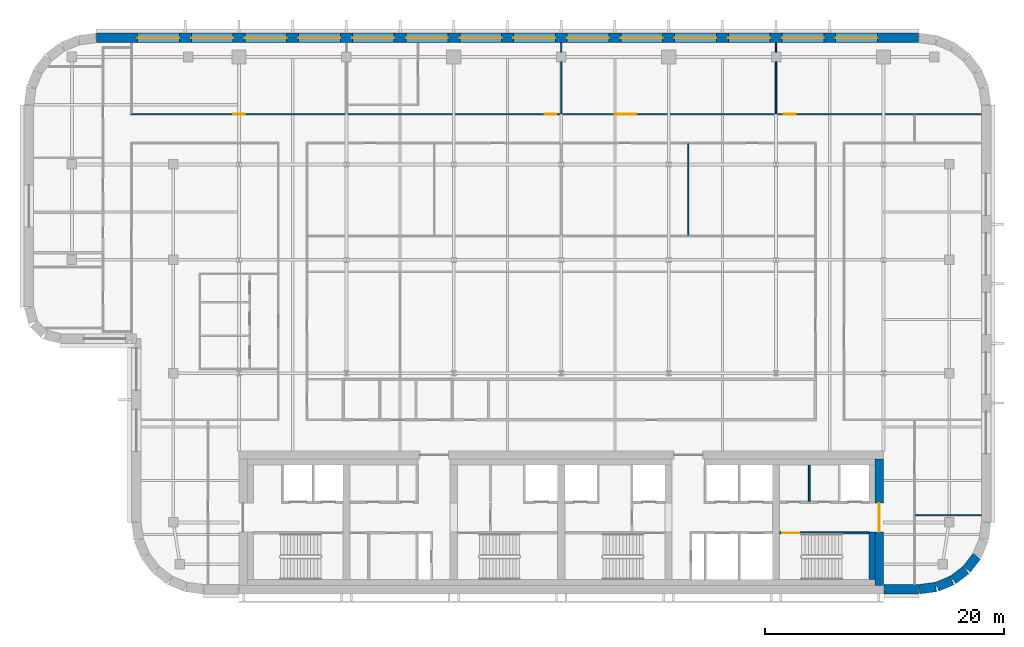
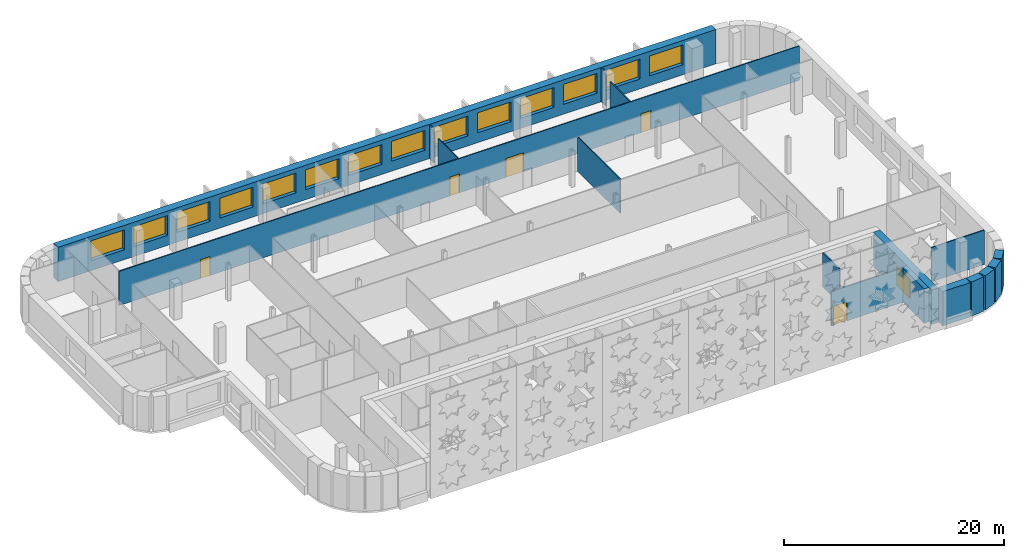
# One storey, part 11 of 18: 17 walls, 14 windows, 6 doors, 20 openings.
"""IFC4 building model written with IfcOpenShell, lengths in metres."""

from ifc_helpers import new_model, si_unit, direction, frame, frame_2d, origin, place, context, subcontext, project, spatial, rectangle, extrude, material, layer, layer_set, type_object, element, fill, save


model = new_model("IFC4")

# Units and contexts
model_context = context("Model", 3, precision=1e-05, world=origin(), true_north=direction((0.0, 1.0)))
body_context = subcontext(model_context, "Body", "Model", "MODEL_VIEW")
ifc_project = project(units=[si_unit("LENGTHUNIT", "METRE"), si_unit("AREAUNIT", "SQUARE_METRE"), si_unit("VOLUMEUNIT", "CUBIC_METRE"), si_unit("PLANEANGLEUNIT", "RADIAN"), si_unit("MASSUNIT", "GRAM", prefix="KILO")], contexts=[model_context])

# Site, building, storey
site_placement = place(None, origin())
site = spatial("IfcSite", under=ifc_project, at=site_placement, CompositionType="ELEMENT")
building_placement = place(site_placement, origin())
building = spatial("IfcBuilding", under=site, at=building_placement, Name="Zellij Exchange Tower", CompositionType="ELEMENT")
storey_placement = place(building_placement, frame((0.0, 0.0, 240.5)))
storey = spatial("IfcBuildingStorey", under=building, at=storey_placement, Name="L56", CompositionType="ELEMENT", Elevation=240.5)

# Walls
ifc_material_1 = material(Name="Concrete C30/37", Category="concrete")
ifc_layer_1 = layer(ifc_material_1, 0.5)
ifc_layer_set_1 = layer_set([ifc_layer_1], Name="Concrete C30/37")
wall_type_1 = type_object("IfcWallType", Name="CORE-LW 500 C30/37", PredefinedType="SHEAR", material=ifc_layer_set_1)
wall_1_placement = place(storey_placement, frame((26.050048828125, -12.800048828125, 0.0), z_axis=(0.0, 0.0, 1.0), x_axis=(0.0, 1.0, 0.0)))
element("IfcWall", 1, at=wall_1_placement, inside=storey, type_object=wall_type_1, Name="Core wall lining end e.0 L56", PredefinedType="SHEAR", context=body_context, shape_type="SweptSolid", body=[
    extrude(rectangle(XDim=4.0, YDim=0.5, at=frame_2d((2.0, 0.0))), origin(), (0.0, 0.0, 1.0), 3.800048828125),
])
ifc_material_2 = material(Name="Gypsum board partition")
ifc_layer_2 = layer(ifc_material_2, 0.14990234375)
ifc_layer_set_2 = layer_set([ifc_layer_2], Name="Gypsum board partition")
wall_type_2 = type_object("IfcWallType", Name="CORE-PW 150 Lift lobby wall", PredefinedType="PARTITIONING", material=ifc_layer_set_2)
wall_2_placement = place(storey_placement, frame((20.77490234375, -6.22509765625, 0.0), z_axis=(0.0, 0.0, 1.0), x_axis=(0.0, 1.0, 0.0)))
element("IfcWall", 2, at=wall_2_placement, inside=storey, type_object=wall_type_2, Name="Lift lobby wall L56", PredefinedType="PARTITIONING", context=body_context, shape_type="SweptSolid", body=[
    extrude(rectangle(XDim=3.025146484375, YDim=0.14990234375, at=frame_2d((1.5126953125, 0.0))), origin(), (0.0, 0.0, 1.0), 3.800048828125),
])

# Wall, opening, door
ifc_material_3 = material(Name="Concrete C50/60", Category="concrete")
ifc_layer_3 = layer(ifc_material_3, 0.699951171875)
ifc_layer_set_3 = layer_set([ifc_layer_3], Name="Concrete C50/60")
wall_type_3 = type_object("IfcWallType", Name="CORE-SW 700 C50/60", PredefinedType="SHEAR", material=ifc_layer_set_3)
wall_3_placement = place(storey_placement, frame((26.64990234375, -13.300048828125, 0.0), z_axis=(0.0, 0.0, 1.0), x_axis=(0.0, 1.0, 0.0)))
wall_3 = element("IfcWall", 3, at=wall_3_placement, inside=storey, type_object=wall_type_3, Name="Core shear wall end e L56", PredefinedType="SHEAR", context=body_context, shape_type="SweptSolid", body=[
    extrude(rectangle(XDim=10.60009765625, YDim=0.699951171875, at=frame_2d((5.300048828125, 0.0))), origin(), (0.0, 0.0, 1.0), 3.800048828125),
])
opening_1_placement = place(wall_3_placement, frame((4.511962890625, 0.0, 0.0)))
opening_1 = element("IfcOpeningElement", 4, at=opening_1_placement, cuts=wall_3, Name="Opening CA-29.28", PredefinedType="OPENING", context=body_context, shape_type="SweptSolid", body=[
    extrude(rectangle(XDim=2.39990234375, YDim=2.10009765625, at=frame_2d((1.199951171875, 1.050048828125))), frame((0.0, 0.36181640625, 0.0), z_axis=(0.0, -1.0, 0.0), x_axis=(1.0, 0.0, 0.0)), (0.0, 0.0, 1.0), 0.723876953125),
])
ifc_material_4 = material(Name="Hollow metal fire door")
door_type_1 = type_object("IfcDoorType", Name="CORE-D CE Core entrance door 2400x2100 20 MIN", OperationType="NOTDEFINED", PredefinedType="DOOR", material=ifc_material_4)
door_1_placement = place(opening_1_placement, origin())
door_1 = element("IfcDoor", 5, at=door_1_placement, inside=storey, type_object=door_type_1, Name="Core entrance door CA-29.28", OperationType="DOUBLE_DOOR_SINGLE_SWING", OverallHeight=2.10009765625, OverallWidth=2.39990234375, PredefinedType="DOOR", context=body_context, shape_type="SweptSolid", body=[
    extrude(rectangle(XDim=2.39990234375, YDim=2.10009765625, at=frame_2d((1.199951171875, 1.050048828125))), frame((0.0, 0.02490234375, 0.0), z_axis=(0.0, -1.0, 0.0), x_axis=(1.0, 0.0, 0.0)), (0.0, 0.0, 1.0), 0.050048828125),
])
fill(opening_1, door_1)

ifc_layer_4 = layer(ifc_material_3, 0.14990234375)
ifc_layer_set_4 = layer_set([ifc_layer_4], Name="Concrete C50/60")
wall_type_4 = type_object("IfcWallType", Name="CORE-SWS 150 C50/60", PredefinedType="SHEAR", material=ifc_layer_set_4)
wall_4_placement = place(storey_placement, frame((18.300048828125, -8.875, 0.0), z_axis=(0.0, 0.0, 1.0), x_axis=(1.0, 0.0, 0.0)))
wall_4 = element("IfcWall", 6, at=wall_4_placement, inside=storey, type_object=wall_type_4, Name="Stair enclosure wall L56", PredefinedType="SHEAR", context=body_context, shape_type="SweptSolid", body=[
    extrude(rectangle(XDim=7.5, YDim=0.14990234375, at=frame_2d((3.75, 0.0))), origin(), (0.0, 0.0, 1.0), 3.800048828125),
])
opening_2_placement = place(wall_4_placement, frame((0.22509765625, 0.0, 0.0)))
opening_2 = element("IfcOpeningElement", 7, at=opening_2_placement, cuts=wall_4, Name="Opening CA-29.24", PredefinedType="OPENING", context=body_context, shape_type="SweptSolid", body=[
    extrude(rectangle(XDim=1.39990234375, YDim=2.10009765625, at=frame_2d((0.699951171875, 1.050048828125))), frame((0.0, 0.0869140625, 0.0), z_axis=(0.0, -1.0, 0.0), x_axis=(1.0, 0.0, 0.0)), (0.0, 0.0, 1.0), 0.173828125),
])
door_type_2 = type_object("IfcDoorType", Name="CORE-D SD Stair door 1400x2100 1.5 HR", OperationType="NOTDEFINED", PredefinedType="DOOR", material=ifc_material_4)
door_2_placement = place(opening_2_placement, origin())
door_2 = element("IfcDoor", 8, at=door_2_placement, inside=storey, type_object=door_type_2, Name="Stair door CA-29.24", OperationType="DOUBLE_DOOR_SINGLE_SWING", OverallHeight=2.10009765625, OverallWidth=1.39990234375, PredefinedType="DOOR", context=body_context, shape_type="SweptSolid", body=[
    extrude(rectangle(XDim=1.39990234375, YDim=2.10009765625, at=frame_2d((0.699951171875, 1.050048828125))), frame((0.0, 0.02490234375, 0.0), z_axis=(0.0, -1.0, 0.0), x_axis=(1.0, 0.0, 0.0)), (0.0, 0.0, 1.0), 0.050048828125),
])
fill(opening_2, door_2)

# Walls
ifc_material_5 = material(Name="Precast concrete C40/50", Category="concrete")
ifc_layer_5 = layer(ifc_material_5, 0.800048828125)
ifc_layer_set_5 = layer_set([ifc_layer_5], Name="Precast concrete C40/50")
wall_type_5 = type_object("IfcWallType", Name="ENV-EW1 Precast stone-piered wall 800", PredefinedType="SOLIDWALL", material=ifc_layer_set_5)
wall_5_placement = place(storey_placement, frame((27.050048828125, -13.60009765625, 0.0), z_axis=(0.0, 0.0, 1.0), x_axis=(1.0, 0.0, 0.0)))
element("IfcWall", 9, at=wall_5_placement, inside=storey, type_object=wall_type_5, Name="fac.L56.00b", PredefinedType="SOLIDWALL", context=body_context, shape_type="SweptSolid", body=[
    extrude(rectangle(XDim=2.8974609375, YDim=0.800048828125, at=frame_2d((1.44873046875, 0.0))), origin(), (0.0, 0.0, 1.0), 3.800048828125),
])
wall_6_placement = place(storey_placement, frame((29.999755859375, -13.5966796875, 0.0), z_axis=(0.0, 0.0, 1.0), x_axis=(0.99144603414, 0.130517283865, 0.0)))
element("IfcWall", 10, at=wall_6_placement, inside=storey, type_object=wall_type_5, Name="fac.L56.01", PredefinedType="SOLIDWALL", context=body_context, shape_type="SweptSolid", body=[
    extrude(rectangle(XDim=1.408447265625, YDim=0.800048828125, at=frame_2d((0.7041015625, 0.0))), origin(), (0.0, 0.0, 1.0), 3.800048828125),
])
wall_7_placement = place(storey_placement, frame((31.497314453125, -13.3857421875, 0.0), z_axis=(0.0, 0.0, 1.0), x_axis=(0.923847774587, 0.38276009378, 0.0)))
element("IfcWall", 11, at=wall_7_placement, inside=storey, type_object=wall_type_5, Name="fac.L56.02", PredefinedType="SOLIDWALL", context=body_context, shape_type="SweptSolid", body=[
    extrude(rectangle(XDim=1.35546875, YDim=0.800048828125, at=frame_2d((0.677734375, 0.0))), origin(), (0.0, 0.0, 1.0), 3.800048828125),
])
for number, where, z_axis, x_axis, name in (
    (12, (32.840087890625, -12.814697265625, 0.0), (0.0, 0.0, 1.0), (0.793272915452, 0.608866226366, 0.0), "fac.L56.03"),
    (13, (33.9892578125, -11.91552734375, 0.0), (0.0, 0.0, 1.0), (0.608866226366, 0.793272915452, 0.0), "fac.L56.04"),
):
    element("IfcWall", number, at=place(storey_placement, frame(where, z_axis=z_axis, x_axis=x_axis)), inside=storey, type_object=wall_type_5, Name=name, PredefinedType="SOLIDWALL", context=body_context, shape_type="SweptSolid", body=[
        extrude(rectangle(XDim=1.355712890625, YDim=0.800048828125, at=frame_2d((0.677734375, 0.0))), origin(), (0.0, 0.0, 1.0), 3.800048828125),
    ])

# Wall, openings, windows
wall_8_placement = place(storey_placement, frame((29.947509765625, 32.60009765625, 0.0), z_axis=(0.0, 0.0, 1.0), x_axis=(-1.0, 0.0, 0.0)))
wall_8 = element("IfcWall", 14, at=wall_8_placement, inside=storey, type_object=wall_type_5, Name="fac.L56.14", PredefinedType="SOLIDWALL", context=body_context, shape_type="SweptSolid", body=[
    extrude(rectangle(XDim=68.89501953125, YDim=0.800048828125, at=frame_2d((34.447509765625, 0.0))), origin(), (0.0, 0.0, 1.0), 3.800048828125),
])
opening_3_placement = place(wall_8_placement, frame((3.447509765625, 0.0, 1.10009765625)))
opening_3 = element("IfcOpeningElement", 15, at=opening_3_placement, cuts=wall_8, Name="Opening FZ4.06", PredefinedType="OPENING", context=body_context, shape_type="SweptSolid", body=[
    extrude(rectangle(XDim=3.5, YDim=2.199951171875, at=frame_2d((1.75, 1.10009765625))), frame((0.0, 0.412109375, 0.0), z_axis=(0.0, -1.0, 0.0), x_axis=(1.0, 0.0, 0.0)), (0.0, 0.0, 1.0), 0.823974609375),
])
opening_4_placement = place(wall_8_placement, frame((7.947509765625, 0.0, 1.10009765625)))
opening_4 = element("IfcOpeningElement", 16, at=opening_4_placement, cuts=wall_8, Name="Opening FZ4.07", PredefinedType="OPENING", context=body_context, shape_type="SweptSolid", body=[
    extrude(rectangle(XDim=3.5, YDim=2.199951171875, at=frame_2d((1.75, 1.10009765625))), frame((0.0, 0.412109375, 0.0), z_axis=(0.0, -1.0, 0.0), x_axis=(1.0, 0.0, 0.0)), (0.0, 0.0, 1.0), 0.823974609375),
])
opening_5_placement = place(wall_8_placement, frame((12.447509765625, 0.0, 1.10009765625)))
opening_5 = element("IfcOpeningElement", 17, at=opening_5_placement, cuts=wall_8, Name="Opening FZ4.08", PredefinedType="OPENING", context=body_context, shape_type="SweptSolid", body=[
    extrude(rectangle(XDim=3.5, YDim=2.199951171875, at=frame_2d((1.75, 1.10009765625))), frame((0.0, 0.412109375, 0.0), z_axis=(0.0, -1.0, 0.0), x_axis=(1.0, 0.0, 0.0)), (0.0, 0.0, 1.0), 0.823974609375),
])
opening_6_placement = place(wall_8_placement, frame((16.947509765625, 0.0, 1.10009765625)))
opening_6 = element("IfcOpeningElement", 18, at=opening_6_placement, cuts=wall_8, Name="Opening FZ4.09", PredefinedType="OPENING", context=body_context, shape_type="SweptSolid", body=[
    extrude(rectangle(XDim=3.5, YDim=2.199951171875, at=frame_2d((1.75, 1.10009765625))), frame((0.0, 0.412109375, 0.0), z_axis=(0.0, -1.0, 0.0), x_axis=(1.0, 0.0, 0.0)), (0.0, 0.0, 1.0), 0.823974609375),
])
opening_7_placement = place(wall_8_placement, frame((21.447509765625, 0.0, 1.10009765625)))
opening_7 = element("IfcOpeningElement", 19, at=opening_7_placement, cuts=wall_8, Name="Opening FZ4.10", PredefinedType="OPENING", context=body_context, shape_type="SweptSolid", body=[
    extrude(rectangle(XDim=3.5, YDim=2.199951171875, at=frame_2d((1.75, 1.10009765625))), frame((0.0, 0.412109375, 0.0), z_axis=(0.0, -1.0, 0.0), x_axis=(1.0, 0.0, 0.0)), (0.0, 0.0, 1.0), 0.823974609375),
])
opening_8_placement = place(wall_8_placement, frame((25.947509765625, 0.0, 1.10009765625)))
opening_8 = element("IfcOpeningElement", 20, at=opening_8_placement, cuts=wall_8, Name="Opening FZ4.11", PredefinedType="OPENING", context=body_context, shape_type="SweptSolid", body=[
    extrude(rectangle(XDim=3.5, YDim=2.199951171875, at=frame_2d((1.75, 1.10009765625))), frame((0.0, 0.412109375, 0.0), z_axis=(0.0, -1.0, 0.0), x_axis=(1.0, 0.0, 0.0)), (0.0, 0.0, 1.0), 0.823974609375),
])
opening_9_placement = place(wall_8_placement, frame((30.447509765625, 0.0, 1.10009765625)))
opening_9 = element("IfcOpeningElement", 21, at=opening_9_placement, cuts=wall_8, Name="Opening FZ4.12", PredefinedType="OPENING", context=body_context, shape_type="SweptSolid", body=[
    extrude(rectangle(XDim=3.5, YDim=2.199951171875, at=frame_2d((1.75, 1.10009765625))), frame((0.0, 0.412109375, 0.0), z_axis=(0.0, -1.0, 0.0), x_axis=(1.0, 0.0, 0.0)), (0.0, 0.0, 1.0), 0.823974609375),
])
opening_10_placement = place(wall_8_placement, frame((34.947509765625, 0.0, 1.10009765625)))
opening_10 = element("IfcOpeningElement", 22, at=opening_10_placement, cuts=wall_8, Name="Opening FZ4.13", PredefinedType="OPENING", context=body_context, shape_type="SweptSolid", body=[
    extrude(rectangle(XDim=3.5, YDim=2.199951171875, at=frame_2d((1.75, 1.10009765625))), frame((0.0, 0.412109375, 0.0), z_axis=(0.0, -1.0, 0.0), x_axis=(1.0, 0.0, 0.0)), (0.0, 0.0, 1.0), 0.823974609375),
])
opening_11_placement = place(wall_8_placement, frame((39.447509765625, 0.0, 1.10009765625)))
opening_11 = element("IfcOpeningElement", 23, at=opening_11_placement, cuts=wall_8, Name="Opening FZ4.14", PredefinedType="OPENING", context=body_context, shape_type="SweptSolid", body=[
    extrude(rectangle(XDim=3.5, YDim=2.199951171875, at=frame_2d((1.75, 1.10009765625))), frame((0.0, 0.412109375, 0.0), z_axis=(0.0, -1.0, 0.0), x_axis=(1.0, 0.0, 0.0)), (0.0, 0.0, 1.0), 0.823974609375),
])
opening_12_placement = place(wall_8_placement, frame((43.947509765625, 0.0, 1.10009765625)))
opening_12 = element("IfcOpeningElement", 24, at=opening_12_placement, cuts=wall_8, Name="Opening FZ4.15", PredefinedType="OPENING", context=body_context, shape_type="SweptSolid", body=[
    extrude(rectangle(XDim=3.5, YDim=2.199951171875, at=frame_2d((1.75, 1.10009765625))), frame((0.0, 0.412109375, 0.0), z_axis=(0.0, -1.0, 0.0), x_axis=(1.0, 0.0, 0.0)), (0.0, 0.0, 1.0), 0.823974609375),
])
opening_13_placement = place(wall_8_placement, frame((48.447509765625, 0.0, 1.10009765625)))
opening_13 = element("IfcOpeningElement", 25, at=opening_13_placement, cuts=wall_8, Name="Opening FZ4.16", PredefinedType="OPENING", context=body_context, shape_type="SweptSolid", body=[
    extrude(rectangle(XDim=3.5, YDim=2.199951171875, at=frame_2d((1.75, 1.10009765625))), frame((0.0, 0.412109375, 0.0), z_axis=(0.0, -1.0, 0.0), x_axis=(1.0, 0.0, 0.0)), (0.0, 0.0, 1.0), 0.823974609375),
])
opening_14_placement = place(wall_8_placement, frame((52.947509765625, 0.0, 1.10009765625)))
opening_14 = element("IfcOpeningElement", 26, at=opening_14_placement, cuts=wall_8, Name="Opening FZ4.17", PredefinedType="OPENING", context=body_context, shape_type="SweptSolid", body=[
    extrude(rectangle(XDim=3.5, YDim=2.199951171875, at=frame_2d((1.75, 1.10009765625))), frame((0.0, 0.412109375, 0.0), z_axis=(0.0, -1.0, 0.0), x_axis=(1.0, 0.0, 0.0)), (0.0, 0.0, 1.0), 0.823974609375),
])
opening_15_placement = place(wall_8_placement, frame((57.447509765625, 0.0, 1.10009765625)))
opening_15 = element("IfcOpeningElement", 27, at=opening_15_placement, cuts=wall_8, Name="Opening FZ4.18", PredefinedType="OPENING", context=body_context, shape_type="SweptSolid", body=[
    extrude(rectangle(XDim=3.5, YDim=2.199951171875, at=frame_2d((1.75, 1.10009765625))), frame((0.0, 0.412109375, 0.0), z_axis=(0.0, -1.0, 0.0), x_axis=(1.0, 0.0, 0.0)), (0.0, 0.0, 1.0), 0.823974609375),
])
opening_16_placement = place(wall_8_placement, frame((61.947509765625, 0.0, 1.10009765625)))
opening_16 = element("IfcOpeningElement", 28, at=opening_16_placement, cuts=wall_8, Name="Opening FZ4.19", PredefinedType="OPENING", context=body_context, shape_type="SweptSolid", body=[
    extrude(rectangle(XDim=3.5, YDim=2.199951171875, at=frame_2d((1.75, 1.10009765625))), frame((0.0, 0.412109375, 0.0), z_axis=(0.0, -1.0, 0.0), x_axis=(1.0, 0.0, 0.0)), (0.0, 0.0, 1.0), 0.823974609375),
])
ifc_material_6 = material(Name="Aluminium frame with insulating glass", Category="aluminium")
window_type = type_object("IfcWindowType", Name="ENV-W7 Window 3500x2200", PartitioningType="SINGLE_PANEL", PredefinedType="WINDOW", material=ifc_material_6)
window_1_placement = place(opening_3_placement, origin())
window_1 = element("IfcWindow", 29, at=window_1_placement, inside=storey, type_object=window_type, Name="Window FZ4.06", OverallHeight=2.199951171875, OverallWidth=3.5, PartitioningType="SINGLE_PANEL", PredefinedType="WINDOW", context=body_context, shape_type="SweptSolid", body=[
    extrude(rectangle(XDim=3.5, YDim=2.199951171875, at=frame_2d((1.75, 1.10009765625))), frame((0.0, 0.030029296875, 0.0), z_axis=(0.0, -1.0, 0.0), x_axis=(1.0, 0.0, 0.0)), (0.0, 0.0, 1.0), 0.06005859375),
])
fill(opening_3, window_1)
window_2_placement = place(opening_4_placement, origin())
window_2 = element("IfcWindow", 30, at=window_2_placement, inside=storey, type_object=window_type, Name="Window FZ4.07", OverallHeight=2.199951171875, OverallWidth=3.5, PartitioningType="SINGLE_PANEL", PredefinedType="WINDOW", context=body_context, shape_type="SweptSolid", body=[
    extrude(rectangle(XDim=3.5, YDim=2.199951171875, at=frame_2d((1.75, 1.10009765625))), frame((0.0, 0.030029296875, 0.0), z_axis=(0.0, -1.0, 0.0), x_axis=(1.0, 0.0, 0.0)), (0.0, 0.0, 1.0), 0.06005859375),
])
fill(opening_4, window_2)
window_3_placement = place(opening_5_placement, origin())
window_3 = element("IfcWindow", 31, at=window_3_placement, inside=storey, type_object=window_type, Name="Window FZ4.08", OverallHeight=2.199951171875, OverallWidth=3.5, PartitioningType="SINGLE_PANEL", PredefinedType="WINDOW", context=body_context, shape_type="SweptSolid", body=[
    extrude(rectangle(XDim=3.5, YDim=2.199951171875, at=frame_2d((1.75, 1.10009765625))), frame((0.0, 0.030029296875, 0.0), z_axis=(0.0, -1.0, 0.0), x_axis=(1.0, 0.0, 0.0)), (0.0, 0.0, 1.0), 0.06005859375),
])
fill(opening_5, window_3)
window_4_placement = place(opening_6_placement, origin())
window_4 = element("IfcWindow", 32, at=window_4_placement, inside=storey, type_object=window_type, Name="Window FZ4.09", OverallHeight=2.199951171875, OverallWidth=3.5, PartitioningType="SINGLE_PANEL", PredefinedType="WINDOW", context=body_context, shape_type="SweptSolid", body=[
    extrude(rectangle(XDim=3.5, YDim=2.199951171875, at=frame_2d((1.75, 1.10009765625))), frame((0.0, 0.030029296875, 0.0), z_axis=(0.0, -1.0, 0.0), x_axis=(1.0, 0.0, 0.0)), (0.0, 0.0, 1.0), 0.06005859375),
])
fill(opening_6, window_4)
window_5_placement = place(opening_7_placement, origin())
window_5 = element("IfcWindow", 33, at=window_5_placement, inside=storey, type_object=window_type, Name="Window FZ4.10", OverallHeight=2.199951171875, OverallWidth=3.5, PartitioningType="SINGLE_PANEL", PredefinedType="WINDOW", context=body_context, shape_type="SweptSolid", body=[
    extrude(rectangle(XDim=3.5, YDim=2.199951171875, at=frame_2d((1.75, 1.10009765625))), frame((0.0, 0.030029296875, 0.0), z_axis=(0.0, -1.0, 0.0), x_axis=(1.0, 0.0, 0.0)), (0.0, 0.0, 1.0), 0.06005859375),
])
fill(opening_7, window_5)
window_6_placement = place(opening_8_placement, origin())
window_6 = element("IfcWindow", 34, at=window_6_placement, inside=storey, type_object=window_type, Name="Window FZ4.11", OverallHeight=2.199951171875, OverallWidth=3.5, PartitioningType="SINGLE_PANEL", PredefinedType="WINDOW", context=body_context, shape_type="SweptSolid", body=[
    extrude(rectangle(XDim=3.5, YDim=2.199951171875, at=frame_2d((1.75, 1.10009765625))), frame((0.0, 0.030029296875, 0.0), z_axis=(0.0, -1.0, 0.0), x_axis=(1.0, 0.0, 0.0)), (0.0, 0.0, 1.0), 0.06005859375),
])
fill(opening_8, window_6)
window_7_placement = place(opening_9_placement, origin())
window_7 = element("IfcWindow", 35, at=window_7_placement, inside=storey, type_object=window_type, Name="Window FZ4.12", OverallHeight=2.199951171875, OverallWidth=3.5, PartitioningType="SINGLE_PANEL", PredefinedType="WINDOW", context=body_context, shape_type="SweptSolid", body=[
    extrude(rectangle(XDim=3.5, YDim=2.199951171875, at=frame_2d((1.75, 1.10009765625))), frame((0.0, 0.030029296875, 0.0), z_axis=(0.0, -1.0, 0.0), x_axis=(1.0, 0.0, 0.0)), (0.0, 0.0, 1.0), 0.06005859375),
])
fill(opening_9, window_7)
window_8_placement = place(opening_10_placement, origin())
window_8 = element("IfcWindow", 36, at=window_8_placement, inside=storey, type_object=window_type, Name="Window FZ4.13", OverallHeight=2.199951171875, OverallWidth=3.5, PartitioningType="SINGLE_PANEL", PredefinedType="WINDOW", context=body_context, shape_type="SweptSolid", body=[
    extrude(rectangle(XDim=3.5, YDim=2.199951171875, at=frame_2d((1.75, 1.10009765625))), frame((0.0, 0.030029296875, 0.0), z_axis=(0.0, -1.0, 0.0), x_axis=(1.0, 0.0, 0.0)), (0.0, 0.0, 1.0), 0.06005859375),
])
fill(opening_10, window_8)
window_9_placement = place(opening_11_placement, origin())
window_9 = element("IfcWindow", 37, at=window_9_placement, inside=storey, type_object=window_type, Name="Window FZ4.14", OverallHeight=2.199951171875, OverallWidth=3.5, PartitioningType="SINGLE_PANEL", PredefinedType="WINDOW", context=body_context, shape_type="SweptSolid", body=[
    extrude(rectangle(XDim=3.5, YDim=2.199951171875, at=frame_2d((1.75, 1.10009765625))), frame((0.0, 0.030029296875, 0.0), z_axis=(0.0, -1.0, 0.0), x_axis=(1.0, 0.0, 0.0)), (0.0, 0.0, 1.0), 0.06005859375),
])
fill(opening_11, window_9)
window_10_placement = place(opening_12_placement, origin())
window_10 = element("IfcWindow", 38, at=window_10_placement, inside=storey, type_object=window_type, Name="Window FZ4.15", OverallHeight=2.199951171875, OverallWidth=3.5, PartitioningType="SINGLE_PANEL", PredefinedType="WINDOW", context=body_context, shape_type="SweptSolid", body=[
    extrude(rectangle(XDim=3.5, YDim=2.199951171875, at=frame_2d((1.75, 1.10009765625))), frame((0.0, 0.030029296875, 0.0), z_axis=(0.0, -1.0, 0.0), x_axis=(1.0, 0.0, 0.0)), (0.0, 0.0, 1.0), 0.06005859375),
])
fill(opening_12, window_10)
window_11_placement = place(opening_13_placement, origin())
window_11 = element("IfcWindow", 39, at=window_11_placement, inside=storey, type_object=window_type, Name="Window FZ4.16", OverallHeight=2.199951171875, OverallWidth=3.5, PartitioningType="SINGLE_PANEL", PredefinedType="WINDOW", context=body_context, shape_type="SweptSolid", body=[
    extrude(rectangle(XDim=3.5, YDim=2.199951171875, at=frame_2d((1.75, 1.10009765625))), frame((0.0, 0.030029296875, 0.0), z_axis=(0.0, -1.0, 0.0), x_axis=(1.0, 0.0, 0.0)), (0.0, 0.0, 1.0), 0.06005859375),
])
fill(opening_13, window_11)
window_12_placement = place(opening_14_placement, origin())
window_12 = element("IfcWindow", 40, at=window_12_placement, inside=storey, type_object=window_type, Name="Window FZ4.17", OverallHeight=2.199951171875, OverallWidth=3.5, PartitioningType="SINGLE_PANEL", PredefinedType="WINDOW", context=body_context, shape_type="SweptSolid", body=[
    extrude(rectangle(XDim=3.5, YDim=2.199951171875, at=frame_2d((1.75, 1.10009765625))), frame((0.0, 0.030029296875, 0.0), z_axis=(0.0, -1.0, 0.0), x_axis=(1.0, 0.0, 0.0)), (0.0, 0.0, 1.0), 0.06005859375),
])
fill(opening_14, window_12)
window_13_placement = place(opening_15_placement, origin())
window_13 = element("IfcWindow", 41, at=window_13_placement, inside=storey, type_object=window_type, Name="Window FZ4.18", OverallHeight=2.199951171875, OverallWidth=3.5, PartitioningType="SINGLE_PANEL", PredefinedType="WINDOW", context=body_context, shape_type="SweptSolid", body=[
    extrude(rectangle(XDim=3.5, YDim=2.199951171875, at=frame_2d((1.75, 1.10009765625))), frame((0.0, 0.030029296875, 0.0), z_axis=(0.0, -1.0, 0.0), x_axis=(1.0, 0.0, 0.0)), (0.0, 0.0, 1.0), 0.06005859375),
])
fill(opening_15, window_13)
window_14_placement = place(opening_16_placement, origin())
window_14 = element("IfcWindow", 42, at=window_14_placement, inside=storey, type_object=window_type, Name="Window FZ4.19", OverallHeight=2.199951171875, OverallWidth=3.5, PartitioningType="SINGLE_PANEL", PredefinedType="WINDOW", context=body_context, shape_type="SweptSolid", body=[
    extrude(rectangle(XDim=3.5, YDim=2.199951171875, at=frame_2d((1.75, 1.10009765625))), frame((0.0, 0.030029296875, 0.0), z_axis=(0.0, -1.0, 0.0), x_axis=(1.0, 0.0, 0.0)), (0.0, 0.0, 1.0), 0.06005859375),
])
fill(opening_16, window_14)

# Walls
ifc_material_7 = material(Name="Gypsum board partition on steel studs", Category="steel")
ifc_layer_6 = layer(ifc_material_7, 0.10009765625)
ifc_layer_set_6 = layer_set([ifc_layer_6], Name="Gypsum board partition on steel studs")
wall_type_6 = type_object("IfcWallType", Name="FIT-PARTITION-100", PredefinedType="PARTITIONING", material=ifc_layer_set_6)
wall_9_placement = place(storey_placement, frame((29.64990234375, -7.39990234375, 0.0), z_axis=(0.0, 0.0, 1.0), x_axis=(1.0, 0.0, 0.0)))
element("IfcWall", 43, at=wall_9_placement, inside=storey, type_object=wall_type_6, Name="FIT-PARTITION-100 003", PredefinedType="PARTITIONING", context=body_context, shape_type="SweptSolid", body=[
    extrude(rectangle(XDim=5.550048828125, YDim=0.10009765625, at=frame_2d((2.77490234375, 0.0))), origin(), (0.0, 0.0, 1.0), 3.800048828125),
])
wall_10_placement = place(storey_placement, frame((10.64990234375, 16.050048828125, 0.0), z_axis=(0.0, 0.0, 1.0), x_axis=(0.0, 1.0, 0.0)))
element("IfcWall", 44, at=wall_10_placement, inside=storey, type_object=wall_type_6, Name="FIT-PARTITION-100 041", PredefinedType="PARTITIONING", context=body_context, shape_type="SweptSolid", body=[
    extrude(rectangle(XDim=7.699951171875, YDim=0.10009765625, at=frame_2d((3.85009765625, 0.0))), origin(), (0.0, 0.0, 1.0), 3.800048828125),
])

# Wall, openings, doors
wall_11_placement = place(storey_placement, frame((-36.050048828125, 26.199951171875, 0.0), z_axis=(0.0, 0.0, 1.0), x_axis=(1.0, 0.0, 0.0)))
wall_11 = element("IfcWall", 45, at=wall_11_placement, inside=storey, type_object=wall_type_6, Name="FIT-PARTITION-100 049", PredefinedType="PARTITIONING", context=body_context, shape_type="SweptSolid", body=[
    extrude(rectangle(XDim=71.25, YDim=0.10009765625, at=frame_2d((35.625, 0.0))), origin(), (0.0, 0.0, 1.0), 3.800048828125),
])
opening_17_placement = place(wall_11_placement, frame((8.550048828125, 0.0, 0.0)))
opening_17 = element("IfcOpeningElement", 46, at=opening_17_placement, cuts=wall_11, Name="Opening O4C.24", PredefinedType="OPENING", context=body_context, shape_type="SweptSolid", body=[
    extrude(rectangle(XDim=1.0, YDim=2.10009765625, at=frame_2d((0.5, 1.050048828125))), frame((0.0, 0.06201171875, 0.0), z_axis=(0.0, -1.0, 0.0), x_axis=(1.0, 0.0, 0.0)), (0.0, 0.0, 1.0), 0.1240234375),
])
opening_18_placement = place(wall_11_placement, frame((34.64990234375, 0.0, 0.0)))
opening_18 = element("IfcOpeningElement", 47, at=opening_18_placement, cuts=wall_11, Name="Opening O4C.25", PredefinedType="OPENING", context=body_context, shape_type="SweptSolid", body=[
    extrude(rectangle(XDim=1.0, YDim=2.10009765625, at=frame_2d((0.5, 1.050048828125))), frame((0.0, 0.06201171875, 0.0), z_axis=(0.0, -1.0, 0.0), x_axis=(1.0, 0.0, 0.0)), (0.0, 0.0, 1.0), 0.1240234375),
])
opening_19_placement = place(wall_11_placement, frame((40.550048828125, 0.0, 0.0)))
opening_19 = element("IfcOpeningElement", 48, at=opening_19_placement, cuts=wall_11, Name="Opening O4C.26", PredefinedType="OPENING", context=body_context, shape_type="SweptSolid", body=[
    extrude(rectangle(XDim=1.800048828125, YDim=2.10009765625, at=frame_2d((0.89990234375, 1.050048828125))), frame((0.0, 0.06201171875, 0.0), z_axis=(0.0, -1.0, 0.0), x_axis=(1.0, 0.0, 0.0)), (0.0, 0.0, 1.0), 0.1240234375),
])
opening_20_placement = place(wall_11_placement, frame((54.699951171875, 0.0, 0.0)))
opening_20 = element("IfcOpeningElement", 49, at=opening_20_placement, cuts=wall_11, Name="Opening O4C.27", PredefinedType="OPENING", context=body_context, shape_type="SweptSolid", body=[
    extrude(rectangle(XDim=1.0, YDim=2.10009765625, at=frame_2d((0.5, 1.050048828125))), frame((0.0, 0.06201171875, 0.0), z_axis=(0.0, -1.0, 0.0), x_axis=(1.0, 0.0, 0.0)), (0.0, 0.0, 1.0), 0.1240234375),
])
ifc_material_8 = material(Name="Timber door set", Category="wood")
door_type_3 = type_object("IfcDoorType", Name="FIT-D2-WIDE-1000X2100", OperationType="SINGLE_SWING_LEFT", PredefinedType="DOOR", material=ifc_material_8)
door_3_placement = place(opening_17_placement, origin())
door_3 = element("IfcDoor", 50, at=door_3_placement, inside=storey, type_object=door_type_3, Name="Door O4C.24", OperationType="SINGLE_SWING_RIGHT", OverallHeight=2.10009765625, OverallWidth=1.0, PredefinedType="DOOR", context=body_context, shape_type="SweptSolid", body=[
    extrude(rectangle(XDim=1.0, YDim=2.10009765625, at=frame_2d((0.5, 1.050048828125))), frame((0.0, 0.02490234375, 0.0), z_axis=(0.0, -1.0, 0.0), x_axis=(1.0, 0.0, 0.0)), (0.0, 0.0, 1.0), 0.050048828125),
])
fill(opening_17, door_3)
door_4_placement = place(opening_18_placement, origin())
door_4 = element("IfcDoor", 51, at=door_4_placement, inside=storey, type_object=door_type_3, Name="Door O4C.25", OperationType="SINGLE_SWING_LEFT", OverallHeight=2.10009765625, OverallWidth=1.0, PredefinedType="DOOR", context=body_context, shape_type="SweptSolid", body=[
    extrude(rectangle(XDim=1.0, YDim=2.10009765625, at=frame_2d((0.5, 1.050048828125))), frame((0.0, 0.02490234375, 0.0), z_axis=(0.0, -1.0, 0.0), x_axis=(1.0, 0.0, 0.0)), (0.0, 0.0, 1.0), 0.050048828125),
])
fill(opening_18, door_4)
door_5_placement = place(opening_20_placement, origin())
door_5 = element("IfcDoor", 52, at=door_5_placement, inside=storey, type_object=door_type_3, Name="Door O4C.27", OperationType="SINGLE_SWING_RIGHT", OverallHeight=2.10009765625, OverallWidth=1.0, PredefinedType="DOOR", context=body_context, shape_type="SweptSolid", body=[
    extrude(rectangle(XDim=1.0, YDim=2.10009765625, at=frame_2d((0.5, 1.050048828125))), frame((0.0, 0.02490234375, 0.0), z_axis=(0.0, -1.0, 0.0), x_axis=(1.0, 0.0, 0.0)), (0.0, 0.0, 1.0), 0.050048828125),
])
fill(opening_20, door_5)
door_type_4 = type_object("IfcDoorType", Name="FIT-D3-DOUBLE-1800X2100", OperationType="DOUBLE_DOOR_SINGLE_SWING", PredefinedType="DOOR", material=ifc_material_8)
door_6_placement = place(opening_19_placement, origin())
door_6 = element("IfcDoor", 53, at=door_6_placement, inside=storey, type_object=door_type_4, Name="Door O4C.26", OperationType="DOUBLE_DOOR_SINGLE_SWING", OverallHeight=2.10009765625, OverallWidth=1.800048828125, PredefinedType="DOOR", context=body_context, shape_type="SweptSolid", body=[
    extrude(rectangle(XDim=1.800048828125, YDim=2.10009765625, at=frame_2d((0.89990234375, 1.050048828125))), frame((0.0, 0.02490234375, 0.0), z_axis=(0.0, -1.0, 0.0), x_axis=(1.0, 0.0, 0.0)), (0.0, 0.0, 1.0), 0.050048828125),
])
fill(opening_19, door_6)

# Walls
wall_12_placement = place(storey_placement, frame((0.0, 26.25, 0.0), z_axis=(0.0, 0.0, 1.0), x_axis=(0.0, 1.0, 0.0)))
element("IfcWall", 54, at=wall_12_placement, inside=storey, type_object=wall_type_6, Name="FIT-PARTITION-100 053", PredefinedType="PARTITIONING", context=body_context, shape_type="SweptSolid", body=[
    extrude(rectangle(XDim=4.35009765625, YDim=0.10009765625, at=frame_2d((2.175048828125, 0.0))), origin(), (0.0, 0.0, 1.0), 3.19287109375),
])
wall_13_placement = place(storey_placement, frame((0.0, 31.39990234375, 0.0), z_axis=(0.0, 0.0, 1.0), x_axis=(0.0, 1.0, 0.0)))
element("IfcWall", 55, at=wall_13_placement, inside=storey, type_object=wall_type_6, Name="FIT-PARTITION-100 054", PredefinedType="PARTITIONING", context=body_context, shape_type="SweptSolid", body=[
    extrude(rectangle(XDim=0.800048828125, YDim=0.10009765625, at=frame_2d((0.39990234375, 0.0))), origin(), (0.0, 0.0, 1.0), 3.800048828125),
])
wall_14_placement = place(storey_placement, frame((18.0, 26.25, 0.0), z_axis=(0.0, 0.0, 1.0), x_axis=(0.0, 1.0, 0.0)))
element("IfcWall", 56, at=wall_14_placement, inside=storey, type_object=wall_type_6, Name="FIT-PARTITION-100 055", PredefinedType="PARTITIONING", context=body_context, shape_type="SweptSolid", body=[
    extrude(rectangle(XDim=4.35009765625, YDim=0.10009765625, at=frame_2d((2.175048828125, 0.0))), origin(), (0.0, 0.0, 1.0), 3.19287109375),
])
wall_15_placement = place(storey_placement, frame((18.0, 31.39990234375, 0.0), z_axis=(0.0, 0.0, 1.0), x_axis=(0.0, 1.0, 0.0)))
element("IfcWall", 57, at=wall_15_placement, inside=storey, type_object=wall_type_6, Name="FIT-PARTITION-100 056", PredefinedType="PARTITIONING", context=body_context, shape_type="SweptSolid", body=[
    extrude(rectangle(XDim=0.800048828125, YDim=0.10009765625, at=frame_2d((0.39990234375, 0.0))), origin(), (0.0, 0.0, 1.0), 3.800048828125),
])

save(model, "model.ifc")
